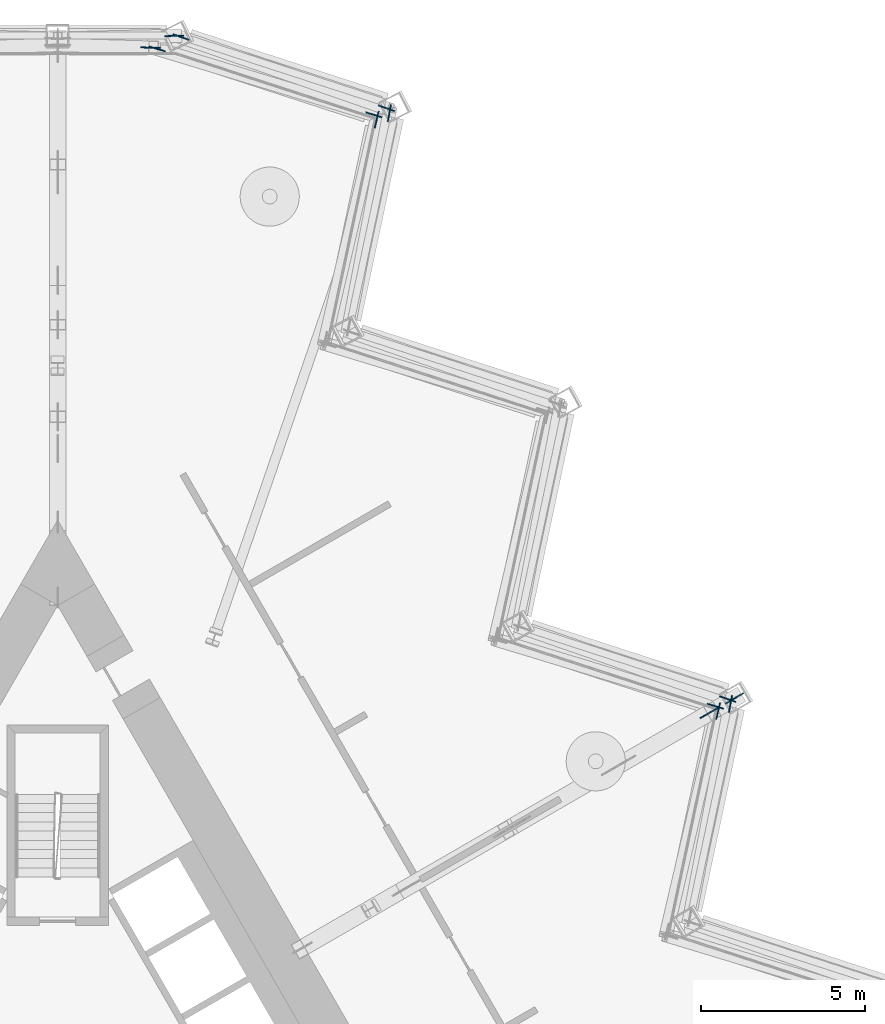
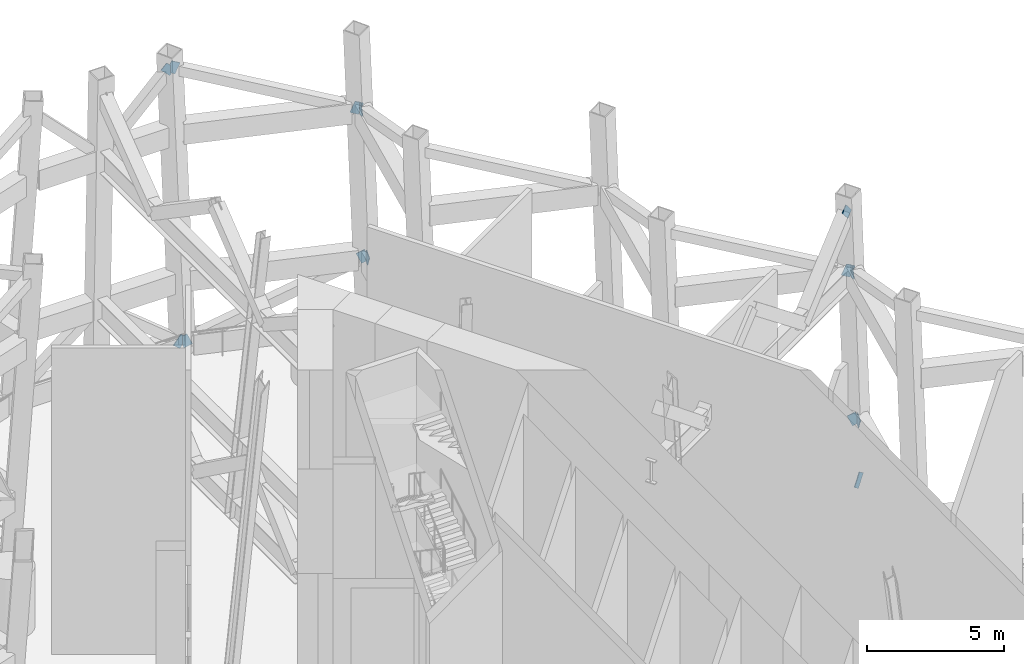
# One storey, part 15 of 19: 14 discrete accessories.
"""IFC4 building model written with IfcOpenShell, lengths in metres."""

from ifc_helpers import new_model, si_unit, direction, frame, origin, origin_2d, place, context, subcontext, project, spatial, rectangle, extrude, material, material_profile, profile_set, type_object, element, save


model = new_model("IFC4")

# Units and contexts
model_context = context("Model", 3, precision=1e-05, world=origin(), true_north=direction((0.0, 1.0)))
body_context = subcontext(model_context, "Body", "Model", "MODEL_VIEW")
ifc_project = project(units=[si_unit("LENGTHUNIT", "METRE"), si_unit("AREAUNIT", "SQUARE_METRE"), si_unit("VOLUMEUNIT", "CUBIC_METRE"), si_unit("PLANEANGLEUNIT", "RADIAN"), si_unit("MASSUNIT", "GRAM", prefix="KILO")], contexts=[model_context])

# Site, building, storey
site_placement = place(None, origin())
site = spatial("IfcSite", under=ifc_project, at=site_placement, CompositionType="ELEMENT")
building_placement = place(site_placement, origin())
building = spatial("IfcBuilding", under=site, at=building_placement, Name="Cormorant Prow Tower", CompositionType="ELEMENT")
storey_placement = place(building_placement, frame((0.0, 0.0, 287.800048828125)))
storey = spatial("IfcBuildingStorey", under=building, at=storey_placement, Name="L64", CompositionType="ELEMENT", Elevation=287.800048828125)

# Discrete accessories
ifc_material_1 = material(Name="Structural steel ASTM A500 Gr C", Category="steel")
ifc_material_profile_1 = material_profile(ifc_material_1, rectangle(XDim=0.031982421875, YDim=0.506103515625, at=origin_2d()), Name="Gusset plate 32x506")
ifc_profile_set_1 = profile_set([ifc_material_profile_1], Name="Structural steel ASTM A500 Gr C")
discrete_accessory_type_1 = type_object("IfcDiscreteAccessoryType", Name="Gusset plate 32x506", PredefinedType="BRACKET", material=ifc_profile_set_1)
discrete_accessory_1_placement = place(storey_placement, frame((20.447509765625, 11.565185546875, 3.32958984375), z_axis=(0.172271523265, 0.899717672114, 0.401036946873), x_axis=(-0.982158184024, 0.188056644538, 0.0)))
element("IfcDiscreteAccessory", 1, at=discrete_accessory_1_placement, inside=storey, type_object=discrete_accessory_type_1, Name="Gusset plate GP2 L64.ENE04.g1", PredefinedType="BRACKET", context=body_context, shape_type="SweptSolid", body=[
    extrude(rectangle(XDim=0.031982421875, YDim=0.506103515625, at=origin_2d()), origin(), (0.0, 0.0, 1.0), 0.35009765625),
])
discrete_accessory_2_placement = place(storey_placement, frame((20.066650390625, 11.3525390625, 10.366455078125), z_axis=(0.209322675814, 0.897296536989, -0.388642434761), x_axis=(-0.973852380129, 0.2271817372, 0.0)))
element("IfcDiscreteAccessory", 2, at=discrete_accessory_2_placement, inside=storey, type_object=discrete_accessory_type_1, Name="Gusset plate GP2 L64.ENE04.t1.g0", PredefinedType="BRACKET", context=body_context, shape_type="SweptSolid", body=[
    extrude(rectangle(XDim=0.031982421875, YDim=0.506103515625, at=origin_2d()), origin(), (0.0, 0.0, 1.0), 0.349853515625),
])
discrete_accessory_3_placement = place(storey_placement, frame((20.239501953125, 11.925537109375, 3.32958984375), z_axis=(0.865206556787, -0.301183910179, 0.400881361928), x_axis=(0.328756746245, 0.944414634468, 0.0)))
element("IfcDiscreteAccessory", 3, at=discrete_accessory_3_placement, inside=storey, type_object=discrete_accessory_type_1, Name="Gusset plate GP2 L64.ENE05.g1", PredefinedType="BRACKET", context=body_context, shape_type="SweptSolid", body=[
    extrude(rectangle(XDim=0.031982421875, YDim=0.506103515625, at=origin_2d()), origin(), (0.0, 0.0, 1.0), 0.35009765625),
])
discrete_accessory_4_placement = place(storey_placement, frame((19.864990234375, 11.701904296875, 10.366455078125), z_axis=(0.881819785023, -0.267196976, -0.388586724887), x_axis=(0.289986381107, 0.957030772114, 0.0)))
element("IfcDiscreteAccessory", 4, at=discrete_accessory_4_placement, inside=storey, type_object=discrete_accessory_type_1, Name="Gusset plate GP2 L64.ENE05.t1.g0", PredefinedType="BRACKET", context=body_context, shape_type="SweptSolid", body=[
    extrude(rectangle(XDim=0.031982421875, YDim=0.506103515625, at=origin_2d()), origin(), (0.0, 0.0, 1.0), 0.349853515625),
])
discrete_accessory_5_placement = place(storey_placement, frame((10.06591796875, 29.546875, 3.329833984375), z_axis=(0.171534896082, 0.900209556265, 0.400248090857), x_axis=(-0.982325243976, 0.187182037194, 0.0)))
element("IfcDiscreteAccessory", 5, at=discrete_accessory_5_placement, inside=storey, type_object=discrete_accessory_type_1, Name="Gusset plate GP2 L64.ENE08.g1", PredefinedType="BRACKET", context=body_context, shape_type="SweptSolid", body=[
    extrude(rectangle(XDim=0.031982421875, YDim=0.506103515625, at=origin_2d()), origin(), (0.0, 0.0, 1.0), 0.35009765625),
])
discrete_accessory_6_placement = place(storey_placement, frame((9.674072265625, 29.352783203125, 10.366455078125), z_axis=(0.209989699514, 0.897165294269, -0.388585590131), x_axis=(-0.973684604187, 0.227899740171, 0.0)))
element("IfcDiscreteAccessory", 6, at=discrete_accessory_6_placement, inside=storey, type_object=discrete_accessory_type_1, Name="Gusset plate GP2 L64.ENE08.t1.g0", PredefinedType="BRACKET", context=body_context, shape_type="SweptSolid", body=[
    extrude(rectangle(XDim=0.031982421875, YDim=0.506103515625, at=origin_2d()), origin(), (0.0, 0.0, 1.0), 0.349853515625),
])
for number, where, z_axis, x_axis, name in (
    (7, (3.904541015625, 31.970703125, 0.5703125), (-0.865569297382, 0.299915227941, -0.401049432711), (-0.327398207747, -0.944886455382, 0.0), "Gusset plate GP2 L64.ENE09.g0"),
    (8, (9.857666015625, 29.906982421875, 3.32958984375), (0.865569297382, -0.299915227941, 0.401049432711), (0.327398207747, 0.944886455382, 0.0), "Gusset plate GP2 L64.ENE09.g1"),
    (9, (9.47265625, 29.702392578125, 10.3662109375), (0.881729026235, -0.268564616377, -0.387849160274), (0.291372416061, 0.956609698445, 0.0), "Gusset plate GP2 L64.ENE09.t1.g0"),
):
    element("IfcDiscreteAccessory", number, at=place(storey_placement, frame(where, z_axis=z_axis, x_axis=x_axis)), inside=storey, type_object=discrete_accessory_type_1, Name=name, PredefinedType="BRACKET", context=body_context, shape_type="SweptSolid", body=[
        extrude(rectangle(XDim=0.031982421875, YDim=0.506103515625, at=origin_2d()), origin(), (0.0, 0.0, 1.0), 0.35009765625),
    ])
for number, where, z_axis, x_axis, name in (
    (10, (3.180908203125, 31.616943359375, 13.133544921875), (-0.881894043549, 0.267917177787, 0.387921747004), (-0.290679627319, -0.956820439927, 0.0), "Gusset plate GP2 L64.ENE09.t1.g1"),
    (11, (3.413330078125, 32.05517578125, 0.640625), (0.771742758692, 0.018142234834, -0.63567599744), (-0.023501644443, 0.999723798211, 0.0), "Gusset plate GP2 L64.N00.g0"),
):
    element("IfcDiscreteAccessory", number, at=place(storey_placement, frame(where, z_axis=z_axis, x_axis=x_axis)), inside=storey, type_object=discrete_accessory_type_1, Name=name, PredefinedType="BRACKET", context=body_context, shape_type="SweptSolid", body=[
        extrude(rectangle(XDim=0.031982421875, YDim=0.506103515625, at=origin_2d()), origin(), (0.0, 0.0, 1.0), 0.349853515625),
    ])
discrete_accessory_7_placement = place(storey_placement, frame((2.70751953125, 31.703369140625, 13.034912109375), z_axis=(0.696776407375, -0.020226742556, 0.717003149931), x_axis=(0.029016805597, 0.999578923844, 0.0)))
element("IfcDiscreteAccessory", 12, at=discrete_accessory_7_placement, inside=storey, type_object=discrete_accessory_type_1, Name="Gusset plate GP2 L64.N00.t1.g1", PredefinedType="BRACKET", context=body_context, shape_type="SweptSolid", body=[
    extrude(rectangle(XDim=0.031982421875, YDim=0.506103515625, at=origin_2d()), origin(), (0.0, 0.0, 1.0), 0.35009765625),
])
ifc_material_2 = material(Name="Structural steel ASTM A500 Gr C", Category="steel")
ifc_material_profile_2 = material_profile(ifc_material_2, rectangle(XDim=0.031982421875, YDim=0.60791015625, at=origin_2d()), Name="Gusset plate 32x608")
ifc_profile_set_2 = profile_set([ifc_material_profile_2], Name="Structural steel ASTM A500 Gr C")
discrete_accessory_type_2 = type_object("IfcDiscreteAccessoryType", Name="Gusset plate 32x608", PredefinedType="BRACKET", material=ifc_profile_set_2)
for number, where, z_axis, x_axis, name in (
    (13, (20.478759765625, 11.823486328125, 0.68017578125), (0.692869357238, 0.399812831518, -0.600068124094), (-0.499797962495, 0.866142018774, 0.0), "Gusset plate GP1 L64.11.4.g1"),
    (14, (19.72900390625, 11.390625, 13.003662109375), (0.655274251456, 0.378230718093, 0.653878566149), (-0.499908752739, 0.866078079006, 0.0), "Gusset plate GP1 L64.11.4.t1.g1"),
):
    element("IfcDiscreteAccessory", number, at=place(storey_placement, frame(where, z_axis=z_axis, x_axis=x_axis)), inside=storey, type_object=discrete_accessory_type_2, Name=name, PredefinedType="BRACKET", context=body_context, shape_type="SweptSolid", body=[
        extrude(rectangle(XDim=0.031982421875, YDim=0.60791015625, at=origin_2d()), origin(), (0.0, 0.0, 1.0), 0.349853515625),
    ])

save(model, "model.ifc")
